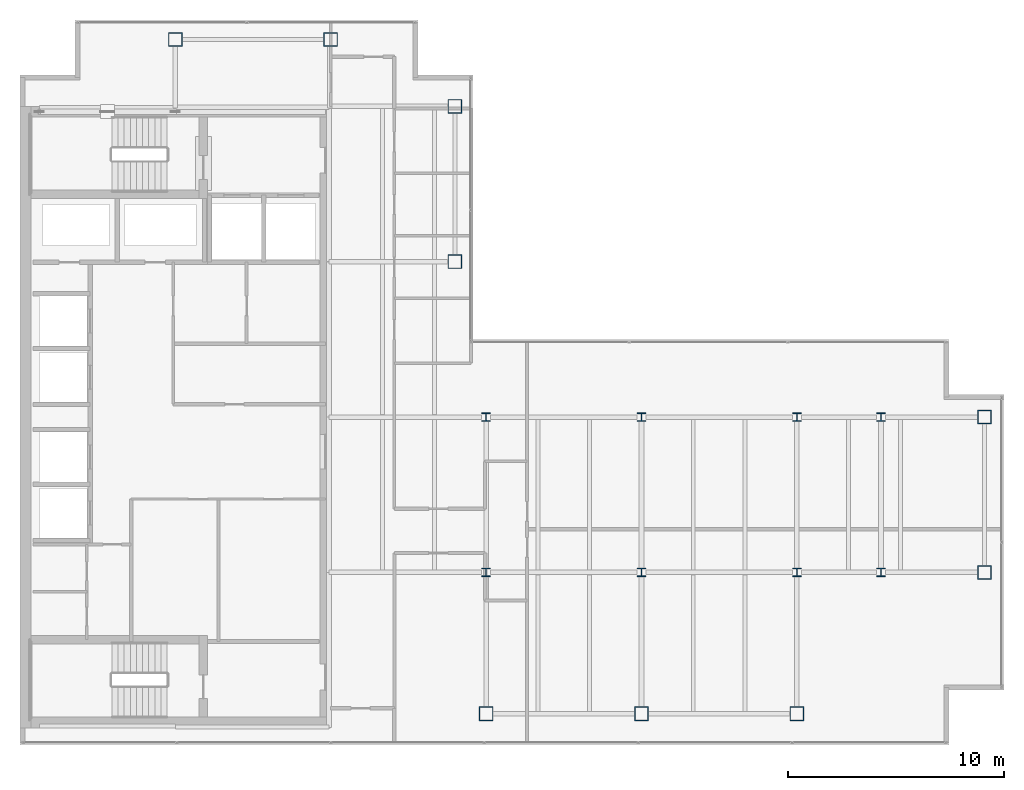
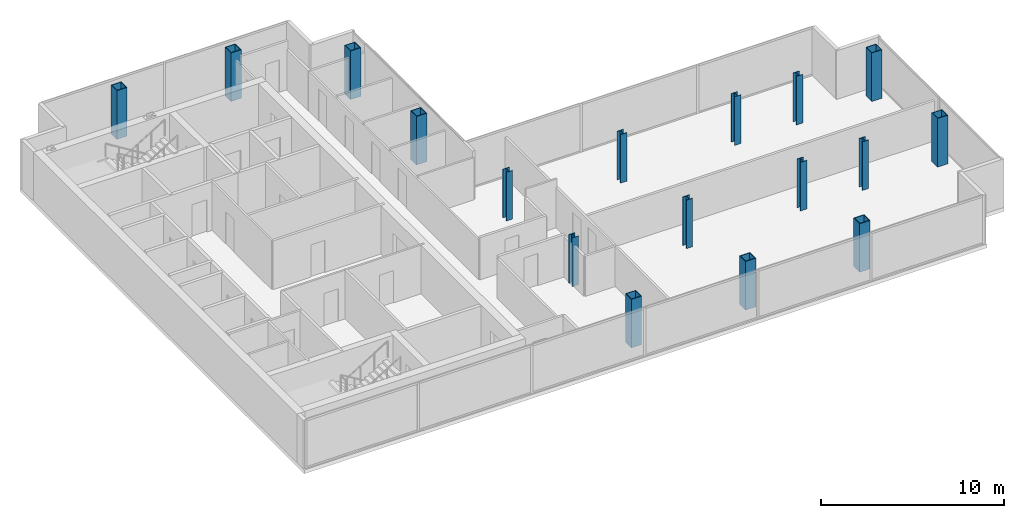
# One storey, part 1 of 23: 17 columns.
"""IFC4 building model written with IfcOpenShell, lengths in metres."""

from ifc_helpers import new_model, si_unit, direction, frame, origin, origin_2d, place, context, subcontext, project, spatial, hollow_rectangle, i_section, extrude, material, material_profile, profile_set, type_object, element, save


model = new_model("IFC4")

# Units and contexts
model_context = context("Model", 3, precision=1e-05, world=origin(), true_north=direction((0.0, 1.0)))
body_context = subcontext(model_context, "Body", "Model", "MODEL_VIEW")
ifc_project = project(units=[si_unit("LENGTHUNIT", "METRE"), si_unit("AREAUNIT", "SQUARE_METRE"), si_unit("VOLUMEUNIT", "CUBIC_METRE"), si_unit("PLANEANGLEUNIT", "RADIAN"), si_unit("MASSUNIT", "GRAM", prefix="KILO")], contexts=[model_context])

# Site, building, storey
site_placement = place(None, origin())
site = spatial("IfcSite", under=ifc_project, at=site_placement, CompositionType="ELEMENT")
building_placement = place(site_placement, origin())
building = spatial("IfcBuilding", under=site, at=building_placement, Name="Cobrela Telecom Tower", CompositionType="ELEMENT")
storey_placement = place(building_placement, frame((0.0, 0.0, 255.14990234375)))
storey = spatial("IfcBuildingStorey", under=building, at=storey_placement, Name="L66", CompositionType="ELEMENT", Elevation=255.14990234375)

# Columns
ifc_material_1 = material(Name="Steel ASTM A992 Grade 50", Category="steel")
ifc_material_profile_1 = material_profile(ifc_material_1, i_section(OverallWidth=0.39892578125, OverallDepth=0.39404296875, WebThickness=0.022705078125, FlangeThickness=0.03662109375, FilletRadius=0.01806640625, at=origin_2d()), Name="W14X193")
ifc_profile_set_1 = profile_set([ifc_material_profile_1], Name="Steel ASTM A992 Grade 50")
column_type_1 = type_object("IfcColumnType", Name="COL-INT-06", PredefinedType="COLUMN", material=ifc_profile_set_1)
for number, where, z_axis, x_axis, name in (
    (1, (21.60009765625, 14.39990234375, 0.0), (0.0, 0.0, 1.0), (1.0, 0.0, 0.0), "L66 Interior Column 06"),
    (2, (21.60009765625, 21.60009765625, 0.0), (0.0, 0.0, 1.0), (1.0, 0.0, 0.0), "L66 Interior Column 07"),
    (3, (28.800048828125, 14.39990234375, 0.0), (0.0, 0.0, 1.0), (1.0, 0.0, 0.0), "L66 Interior Column 09"),
    (4, (28.800048828125, 21.60009765625, 0.0), (0.0, 0.0, 1.0), (1.0, 0.0, 0.0), "L66 Interior Column 10"),
    (5, (36.0, 14.39990234375, 0.0), (0.0, 0.0, 1.0), (1.0, 0.0, 0.0), "L66 Interior Column 12"),
    (6, (36.0, 21.60009765625, 0.0), (0.0, 0.0, 1.0), (1.0, 0.0, 0.0), "L66 Interior Column 13"),
    (7, (39.89990234375, 14.39990234375, 0.0), (0.0, 0.0, 1.0), (1.0, 0.0, 0.0), "L66 Interior Column 14"),
    (8, (39.89990234375, 21.60009765625, 0.0), (0.0, 0.0, 1.0), (1.0, 0.0, 0.0), "L66 Interior Column 15"),
):
    element("IfcColumn", number, at=place(storey_placement, frame(where, z_axis=z_axis, x_axis=x_axis)), inside=storey, type_object=column_type_1, Name=name, PredefinedType="COLUMN", context=body_context, shape_type="SweptSolid", body=[
        extrude(i_section(OverallWidth=0.39892578125, OverallDepth=0.39404296875, WebThickness=0.022705078125, FlangeThickness=0.03662109375, FilletRadius=0.01806640625, at=origin_2d()), origin(), (0.0, 0.0, 1.0), 3.239990234375),
    ])
ifc_material_2 = material(Name="Steel ASTM A572 Grade 50", Category="steel")
ifc_material_profile_2 = material_profile(ifc_material_2, hollow_rectangle(XDim=0.64990234375, YDim=0.64990234375, WallThickness=0.0400390625, at=origin_2d()), Name="BOX 650x650x40")
ifc_profile_set_2 = profile_set([ifc_material_profile_2], Name="Steel ASTM A572 Grade 50")
column_type_2 = type_object("IfcColumnType", Name="COL-MEGA-09", PredefinedType="COLUMN", material=ifc_profile_set_2)
for number, where, z_axis, x_axis, name in (
    (9, (7.199951171875, 39.10009765625, 0.0), (0.0, 0.0, 1.0), (1.0, 0.0, 0.0), "L66 Perimeter Mega-Column 01"),
    (10, (14.39990234375, 39.10009765625, 0.0), (0.0, 0.0, 1.0), (1.0, 0.0, 0.0), "L66 Perimeter Mega-Column 02"),
    (11, (20.14990234375, 28.800048828125, 0.0), (0.0, 0.0, 1.0), (1.0, 0.0, 0.0), "L66 Perimeter Mega-Column 03"),
    (12, (20.14990234375, 36.0, 0.0), (0.0, 0.0, 1.0), (1.0, 0.0, 0.0), "L66 Perimeter Mega-Column 04"),
    (13, (21.60009765625, 7.85009765625, 0.0), (0.0, 0.0, 1.0), (1.0, 0.0, 0.0), "L66 Perimeter Mega-Column 05"),
    (14, (28.800048828125, 7.85009765625, 0.0), (0.0, 0.0, 1.0), (1.0, 0.0, 0.0), "L66 Perimeter Mega-Column 08"),
    (15, (36.0, 7.85009765625, 0.0), (0.0, 0.0, 1.0), (1.0, 0.0, 0.0), "L66 Perimeter Mega-Column 11"),
    (16, (44.699951171875, 14.39990234375, 0.0), (0.0, 0.0, 1.0), (1.0, 0.0, 0.0), "L66 Perimeter Mega-Column 16"),
    (17, (44.699951171875, 21.60009765625, 0.0), (0.0, 0.0, 1.0), (1.0, 0.0, 0.0), "L66 Perimeter Mega-Column 17"),
):
    element("IfcColumn", number, at=place(storey_placement, frame(where, z_axis=z_axis, x_axis=x_axis)), inside=storey, type_object=column_type_2, Name=name, PredefinedType="COLUMN", context=body_context, shape_type="SweptSolid", body=[
        extrude(hollow_rectangle(XDim=0.64990234375, YDim=0.64990234375, WallThickness=0.0400390625, at=origin_2d()), origin(), (0.0, 0.0, 1.0), 3.239990234375),
    ])

save(model, "model.ifc")
